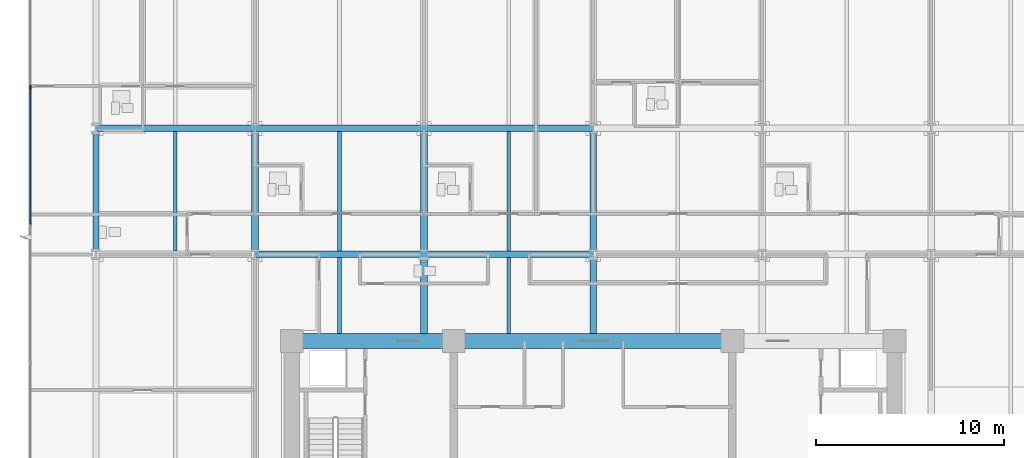
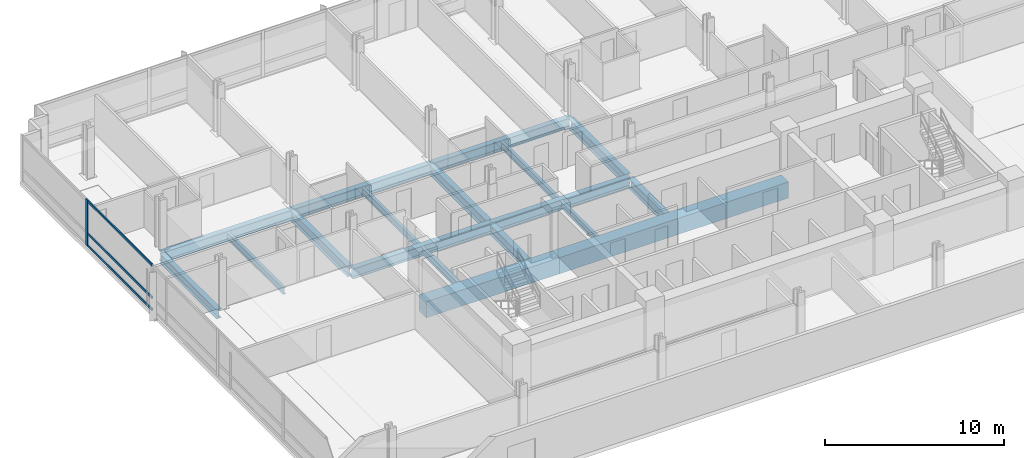
# One storey, part 3 of 16: 18 beams, 4 members, 1 element without a shape of its own.
"""IFC4 building model written with IfcOpenShell, lengths in metres."""

from ifc_helpers import new_model, si_unit, direction, frame, origin, origin_2d, place, context, subcontext, project, spatial, rectangle, i_section, extrude, material, material_profile, profile_set, type_object, element, aggregate, save


model = new_model("IFC4")

# Units and contexts
model_context = context("Model", 3, precision=1e-05, world=origin(), true_north=direction((0.0, 1.0)))
body_context = subcontext(model_context, "Body", "Model", "MODEL_VIEW")
ifc_project = project(units=[si_unit("LENGTHUNIT", "METRE"), si_unit("AREAUNIT", "SQUARE_METRE"), si_unit("VOLUMEUNIT", "CUBIC_METRE"), si_unit("PLANEANGLEUNIT", "RADIAN"), si_unit("MASSUNIT", "GRAM", prefix="KILO")], contexts=[model_context])

# Site, building, storey
site_placement = place(None, origin())
site = spatial("IfcSite", under=ifc_project, at=site_placement, CompositionType="ELEMENT")
building_placement = place(site_placement, origin())
building = spatial("IfcBuilding", under=site, at=building_placement, Name="Solmavex Isthmus Hotel", CompositionType="ELEMENT")
storey_placement = place(building_placement, frame((0.0, 0.0, 36.75)))
storey = spatial("IfcBuildingStorey", under=building, at=storey_placement, Name="L09", CompositionType="ELEMENT", Elevation=36.75)

# Beams
ifc_material_1 = material(Name="Steel ASTM A992 Grade 50", Category="steel")
ifc_material_profile_1 = material_profile(ifc_material_1, i_section(OverallWidth=0.354736328125, OverallDepth=0.695556640625, WebThickness=0.015380859375, FlangeThickness=0.02490234375, FilletRadius=0.017822265625, at=origin_2d()), Name="W27X146")
ifc_profile_set_1 = profile_set([ifc_material_profile_1], Name="Steel ASTM A992 Grade 50")
beam_type_1 = type_object("IfcBeamType", Name="BM-BG-W27X146", PredefinedType="BEAM", material=ifc_profile_set_1)
beam_1_placement = place(storey_placement, frame((-17.951904296875, 2.10009765625, -0.607666015625), z_axis=(1.0, 0.0, 0.0), x_axis=(0.0, 1.0, 0.0)))
element("IfcBeam", 1, at=beam_1_placement, inside=storey, type_object=beam_type_1, Name="Floor Girder L09-UG08", PredefinedType="BEAM", context=body_context, shape_type="SweptSolid", body=[
    extrude(i_section(OverallWidth=0.354736328125, OverallDepth=0.695556640625, WebThickness=0.015380859375, FlangeThickness=0.02490234375, FilletRadius=0.017822265625, at=origin_2d()), origin(), (0.0, 0.0, 1.0), 8.975830078125),
])
beam_2_placement = place(storey_placement, frame((-8.97607421875, 2.10009765625, -0.607666015625), z_axis=(1.0, 0.0, 0.0), x_axis=(0.0, 1.0, 0.0)))
element("IfcBeam", 2, at=beam_2_placement, inside=storey, type_object=beam_type_1, Name="Floor Girder L09-UG09", PredefinedType="BEAM", context=body_context, shape_type="SweptSolid", body=[
    extrude(i_section(OverallWidth=0.354736328125, OverallDepth=0.695556640625, WebThickness=0.015380859375, FlangeThickness=0.02490234375, FilletRadius=0.017822265625, at=origin_2d()), origin(), (0.0, 0.0, 1.0), 8.97607421875),
])
beam_3_placement = place(storey_placement, frame((-26.39990234375, 8.7880859375, -0.607666015625), z_axis=(1.0, 0.0, 0.0), x_axis=(0.0, 1.0, 0.0)))
element("IfcBeam", 3, at=beam_3_placement, inside=storey, type_object=beam_type_1, Name="Floor Girder L09-UG13", PredefinedType="BEAM", context=body_context, shape_type="SweptSolid", body=[
    extrude(i_section(OverallWidth=0.354736328125, OverallDepth=0.695556640625, WebThickness=0.015380859375, FlangeThickness=0.02490234375, FilletRadius=0.017822265625, at=origin_2d()), origin(), (0.0, 0.0, 1.0), 8.447998046875),
])
beam_4_placement = place(storey_placement, frame((-17.951904296875, 8.7880859375, -0.607666015625), z_axis=(1.0, 0.0, 0.0), x_axis=(0.0, 1.0, 0.0)))
element("IfcBeam", 4, at=beam_4_placement, inside=storey, type_object=beam_type_1, Name="Floor Girder L09-UG14", PredefinedType="BEAM", context=body_context, shape_type="SweptSolid", body=[
    extrude(i_section(OverallWidth=0.354736328125, OverallDepth=0.695556640625, WebThickness=0.015380859375, FlangeThickness=0.02490234375, FilletRadius=0.017822265625, at=origin_2d()), origin(), (0.0, 0.0, 1.0), 8.975830078125),
])
beam_5_placement = place(storey_placement, frame((-8.97607421875, 8.7880859375, -0.607666015625), z_axis=(1.0, 0.0, 0.0), x_axis=(0.0, 1.0, 0.0)))
element("IfcBeam", 5, at=beam_5_placement, inside=storey, type_object=beam_type_1, Name="Floor Girder L09-UG15", PredefinedType="BEAM", context=body_context, shape_type="SweptSolid", body=[
    extrude(i_section(OverallWidth=0.354736328125, OverallDepth=0.695556640625, WebThickness=0.015380859375, FlangeThickness=0.02490234375, FilletRadius=0.017822265625, at=origin_2d()), origin(), (0.0, 0.0, 1.0), 8.97607421875),
])
beam_6_placement = place(storey_placement, frame((-17.951904296875, 2.27734375, -0.607666015625), z_axis=(0.0, 1.0, 0.0), x_axis=(-1.0, 0.0, 0.0)))
element("IfcBeam", 6, at=beam_6_placement, inside=storey, type_object=beam_type_1, Name="Floor Beam L09-VG29", PredefinedType="BEAM", context=body_context, shape_type="SweptSolid", body=[
    extrude(i_section(OverallWidth=0.354736328125, OverallDepth=0.695556640625, WebThickness=0.015380859375, FlangeThickness=0.02490234375, FilletRadius=0.017822265625, at=origin_2d()), origin(), (0.0, 0.0, 1.0), 6.333251953125),
])
beam_7_placement = place(storey_placement, frame((-8.97607421875, -2.10009765625, -0.607666015625), z_axis=(0.0, 1.0, 0.0), x_axis=(-1.0, 0.0, 0.0)))
element("IfcBeam", 7, at=beam_7_placement, inside=storey, type_object=beam_type_1, Name="Floor Beam L09-VG32", PredefinedType="BEAM", context=body_context, shape_type="SweptSolid", body=[
    extrude(i_section(OverallWidth=0.354736328125, OverallDepth=0.695556640625, WebThickness=0.015380859375, FlangeThickness=0.02490234375, FilletRadius=0.017822265625, at=origin_2d()), origin(), (0.0, 0.0, 1.0), 4.022705078125),
])
beam_8_placement = place(storey_placement, frame((-8.97607421875, 2.27734375, -0.607666015625), z_axis=(0.0, 1.0, 0.0), x_axis=(-1.0, 0.0, 0.0)))
element("IfcBeam", 8, at=beam_8_placement, inside=storey, type_object=beam_type_1, Name="Floor Beam L09-VG33", PredefinedType="BEAM", context=body_context, shape_type="SweptSolid", body=[
    extrude(i_section(OverallWidth=0.354736328125, OverallDepth=0.695556640625, WebThickness=0.015380859375, FlangeThickness=0.02490234375, FilletRadius=0.017822265625, at=origin_2d()), origin(), (0.0, 0.0, 1.0), 6.333251953125),
])
beam_9_placement = place(storey_placement, frame((0.0, -2.10009765625, -0.607666015625), z_axis=(0.0, 1.0, 0.0), x_axis=(-1.0, 0.0, 0.0)))
element("IfcBeam", 9, at=beam_9_placement, inside=storey, type_object=beam_type_1, Name="Floor Beam L09-VG36", PredefinedType="BEAM", context=body_context, shape_type="SweptSolid", body=[
    extrude(i_section(OverallWidth=0.354736328125, OverallDepth=0.695556640625, WebThickness=0.015380859375, FlangeThickness=0.02490234375, FilletRadius=0.017822265625, at=origin_2d()), origin(), (0.0, 0.0, 1.0), 4.022705078125),
])
beam_10_placement = place(storey_placement, frame((0.0, 2.27734375, -0.607666015625), z_axis=(0.0, 1.0, 0.0), x_axis=(-1.0, 0.0, 0.0)))
element("IfcBeam", 10, at=beam_10_placement, inside=storey, type_object=beam_type_1, Name="Floor Beam L09-VG37", PredefinedType="BEAM", context=body_context, shape_type="SweptSolid", body=[
    extrude(i_section(OverallWidth=0.354736328125, OverallDepth=0.695556640625, WebThickness=0.015380859375, FlangeThickness=0.02490234375, FilletRadius=0.017822265625, at=origin_2d()), origin(), (0.0, 0.0, 1.0), 6.333251953125),
])
ifc_material_profile_2 = material_profile(ifc_material_1, i_section(OverallWidth=0.1904296875, OverallDepth=0.456787109375, WebThickness=0.009033203125, FlangeThickness=0.014404296875, FilletRadius=0.0126953125, at=origin_2d()), Name="W18X50")
ifc_profile_set_2 = profile_set([ifc_material_profile_2], Name="Steel ASTM A992 Grade 50")
beam_type_2 = type_object("IfcBeamType", Name="BM-BJ-W18X50", PredefinedType="JOIST", material=ifc_profile_set_2)
beam_11_placement = place(storey_placement, frame((-22.176025390625, 2.27734375, -0.488525390625), z_axis=(0.0, 1.0, 0.0), x_axis=(-1.0, 0.0, 0.0)))
element("IfcBeam", 11, at=beam_11_placement, inside=storey, type_object=beam_type_2, Name="Secondary Floor Joist L09-J02", PredefinedType="JOIST", context=body_context, shape_type="SweptSolid", body=[
    extrude(i_section(OverallWidth=0.1904296875, OverallDepth=0.456787109375, WebThickness=0.009033203125, FlangeThickness=0.014404296875, FilletRadius=0.0126953125, at=origin_2d()), origin(), (0.0, 0.0, 1.0), 6.333251953125),
])
beam_12_placement = place(storey_placement, frame((-13.464111328125, -2.10009765625, -0.488525390625), z_axis=(0.0, 1.0, 0.0), x_axis=(-1.0, 0.0, 0.0)))
element("IfcBeam", 12, at=beam_12_placement, inside=storey, type_object=beam_type_2, Name="Secondary Floor Joist L09-J05", PredefinedType="JOIST", context=body_context, shape_type="SweptSolid", body=[
    extrude(i_section(OverallWidth=0.1904296875, OverallDepth=0.456787109375, WebThickness=0.009033203125, FlangeThickness=0.014404296875, FilletRadius=0.0126953125, at=origin_2d()), origin(), (0.0, 0.0, 1.0), 4.022705078125),
])
beam_13_placement = place(storey_placement, frame((-13.464111328125, 2.27734375, -0.488525390625), z_axis=(0.0, 1.0, 0.0), x_axis=(-1.0, 0.0, 0.0)))
element("IfcBeam", 13, at=beam_13_placement, inside=storey, type_object=beam_type_2, Name="Secondary Floor Joist L09-J06", PredefinedType="JOIST", context=body_context, shape_type="SweptSolid", body=[
    extrude(i_section(OverallWidth=0.1904296875, OverallDepth=0.456787109375, WebThickness=0.009033203125, FlangeThickness=0.014404296875, FilletRadius=0.0126953125, at=origin_2d()), origin(), (0.0, 0.0, 1.0), 6.333251953125),
])
beam_14_placement = place(storey_placement, frame((-4.488037109375, -2.10009765625, -0.488525390625), z_axis=(0.0, 1.0, 0.0), x_axis=(-1.0, 0.0, 0.0)))
element("IfcBeam", 14, at=beam_14_placement, inside=storey, type_object=beam_type_2, Name="Secondary Floor Joist L09-J09", PredefinedType="JOIST", context=body_context, shape_type="SweptSolid", body=[
    extrude(i_section(OverallWidth=0.1904296875, OverallDepth=0.456787109375, WebThickness=0.009033203125, FlangeThickness=0.014404296875, FilletRadius=0.0126953125, at=origin_2d()), origin(), (0.0, 0.0, 1.0), 4.022705078125),
])
beam_15_placement = place(storey_placement, frame((-4.488037109375, 2.27734375, -0.488525390625), z_axis=(0.0, 1.0, 0.0), x_axis=(-1.0, 0.0, 0.0)))
element("IfcBeam", 15, at=beam_15_placement, inside=storey, type_object=beam_type_2, Name="Secondary Floor Joist L09-J10", PredefinedType="JOIST", context=body_context, shape_type="SweptSolid", body=[
    extrude(i_section(OverallWidth=0.1904296875, OverallDepth=0.456787109375, WebThickness=0.009033203125, FlangeThickness=0.014404296875, FilletRadius=0.0126953125, at=origin_2d()), origin(), (0.0, 0.0, 1.0), 6.333251953125),
])
ifc_material_2 = material(Name="Concrete C70/85", Category="concrete")
ifc_material_profile_3 = material_profile(ifc_material_2, rectangle(XDim=0.800048828125, YDim=1.10009765625, at=origin_2d()), Name="RC800X1100")
ifc_profile_set_3 = profile_set([ifc_material_profile_3], Name="Concrete C70/85")
beam_type_3 = type_object("IfcBeamType", Name="BM-CB-800X1100", PredefinedType="BEAM", material=ifc_profile_set_3)
beam_16_placement = place(storey_placement, frame((-16.0, -2.5, -0.81005859375), z_axis=(1.0, 0.0, 0.0), x_axis=(0.0, 1.0, 0.0)))
element("IfcBeam", 16, at=beam_16_placement, inside=storey, type_object=beam_type_3, Name="Core Coupling Beam L09-CB4", PredefinedType="BEAM", context=body_context, shape_type="SweptSolid", body=[
    extrude(rectangle(XDim=0.800048828125, YDim=1.10009765625, at=origin_2d()), origin(), (0.0, 0.0, 1.0), 8.60009765625),
])
beam_17_placement = place(storey_placement, frame((-7.39990234375, -2.5, -0.81005859375), z_axis=(1.0, 0.0, 0.0), x_axis=(0.0, 1.0, 0.0)))
element("IfcBeam", 17, at=beam_17_placement, inside=storey, type_object=beam_type_3, Name="Core Coupling Beam L09-CB5", PredefinedType="BEAM", context=body_context, shape_type="SweptSolid", body=[
    extrude(rectangle(XDim=0.800048828125, YDim=1.10009765625, at=origin_2d()), origin(), (0.0, 0.0, 1.0), 14.7998046875),
])
ifc_material_profile_4 = material_profile(ifc_material_1, i_section(OverallWidth=0.326416015625, OverallDepth=0.621826171875, WebThickness=0.015380859375, FlangeThickness=0.0244140625, FilletRadius=0.01513671875, at=origin_2d()), Name="W24X131")
ifc_profile_set_4 = profile_set([ifc_material_profile_4], Name="Steel ASTM A992 Grade 50")
beam_type_4 = type_object("IfcBeamType", Name="BM-SP-W24X131", PredefinedType="SPANDREL", material=ifc_profile_set_4)
beam_18_placement = place(storey_placement, frame((-26.39990234375, 2.27734375, -0.57080078125), z_axis=(0.0, 1.0, 0.0), x_axis=(-1.0, 0.0, 0.0)))
element("IfcBeam", 18, at=beam_18_placement, inside=storey, type_object=beam_type_4, Name="Floor Beam L09-VG26", PredefinedType="SPANDREL", context=body_context, shape_type="SweptSolid", body=[
    extrude(i_section(OverallWidth=0.326416015625, OverallDepth=0.621826171875, WebThickness=0.015380859375, FlangeThickness=0.0244140625, FilletRadius=0.01513671875, at=origin_2d()), origin(), (0.0, 0.0, 1.0), 6.333251953125),
])

# Curtain wall, members
ifc_material_3 = material(Name="Aluminium alloy 6063-T6", Category="aluminium")
curtain_wall_type = type_object("IfcCurtainWallType", Name="CW-SYS-02", PredefinedType="NOTDEFINED", material=ifc_material_3)
curtain_wall_placement = place(storey_placement, origin())
curtain_wall = element("IfcCurtainWall", 19, at=curtain_wall_placement, inside=storey, type_object=curtain_wall_type, Name="Stick Curtain Wall CWL-L09-W1", PredefinedType="NOTDEFINED")
ifc_material_profile_5 = material_profile(ifc_material_3, rectangle(XDim=0.074951171875, YDim=0.219970703125, at=origin_2d()), Name="CWM-75X220")
ifc_profile_set_5 = profile_set([ifc_material_profile_5], Name="Aluminium alloy 6063-T6")
member_type_1 = type_object("IfcMemberType", Name="CW-SYS-02-MUL", PredefinedType="MULLION", material=ifc_profile_set_5)
member_1_placement = place(storey_placement, frame((-29.8798828125, 10.97998046875, 0.0), z_axis=(0.0, 0.0, 1.0), x_axis=(-1.0, 0.0, 0.0)))
member_1 = element("IfcMember", 20, at=member_1_placement, type_object=member_type_1, Name="CW-02 mullion 5", PredefinedType="MULLION", context=body_context, shape_type="SweptSolid", body=[
    extrude(rectangle(XDim=0.074951171875, YDim=0.219970703125, at=origin_2d()), origin(), (0.0, 0.0, 1.0), 3.18994140625),
])
ifc_material_profile_6 = material_profile(ifc_material_3, rectangle(XDim=0.074951171875, YDim=0.159912109375, at=origin_2d()), Name="CWT-75X160")
ifc_profile_set_6 = profile_set([ifc_material_profile_6], Name="Aluminium alloy 6063-T6")
member_type_2 = type_object("IfcMemberType", Name="CW-SYS-02-TRN", PredefinedType="USERDEFINED", material=ifc_profile_set_6)
member_2_placement = place(storey_placement, frame((-29.8798828125, 3.697509765625, 0.080078125), z_axis=(0.0, 1.0, 0.0), x_axis=(-1.0, 0.0, 0.0)))
member_2 = element("IfcMember", 21, at=member_2_placement, type_object=member_type_2, Name="CW-02 transom 4.1", ObjectType="TRANSOM", PredefinedType="USERDEFINED", context=body_context, shape_type="SweptSolid", body=[
    extrude(rectangle(XDim=0.074951171875, YDim=0.159912109375, at=origin_2d()), origin(), (0.0, 0.0, 1.0), 7.244873046875),
])
member_3_placement = place(storey_placement, frame((-29.8798828125, 3.697509765625, 0.89990234375), z_axis=(0.0, 1.0, 0.0), x_axis=(-1.0, 0.0, 0.0)))
member_3 = element("IfcMember", 22, at=member_3_placement, type_object=member_type_2, Name="CW-02 transom 4.2", ObjectType="TRANSOM", PredefinedType="USERDEFINED", context=body_context, shape_type="SweptSolid", body=[
    extrude(rectangle(XDim=0.074951171875, YDim=0.159912109375, at=origin_2d()), origin(), (0.0, 0.0, 1.0), 7.244873046875),
])
member_4_placement = place(storey_placement, frame((-29.8798828125, 3.697509765625, 3.110107421875), z_axis=(0.0, 1.0, 0.0), x_axis=(-1.0, 0.0, 0.0)))
member_4 = element("IfcMember", 23, at=member_4_placement, type_object=member_type_2, Name="CW-02 transom 4.3", ObjectType="TRANSOM", PredefinedType="USERDEFINED", context=body_context, shape_type="SweptSolid", body=[
    extrude(rectangle(XDim=0.074951171875, YDim=0.159912109375, at=origin_2d()), origin(), (0.0, 0.0, 1.0), 7.244873046875),
])
aggregate(curtain_wall, [member_1, member_2, member_3, member_4])

save(model, "model.ifc")
